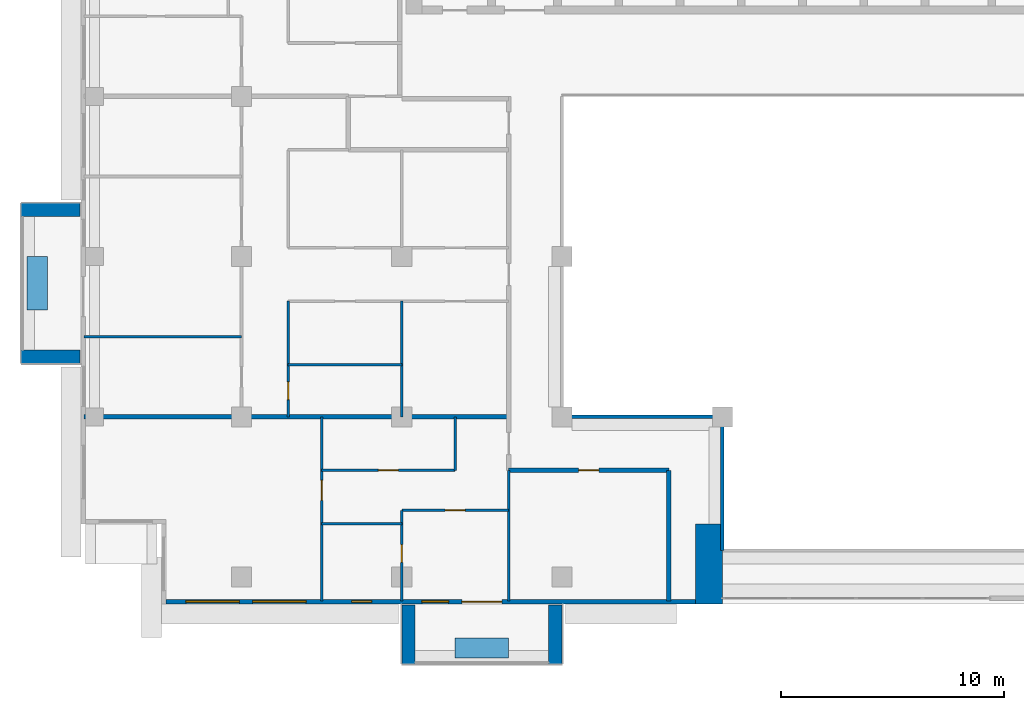
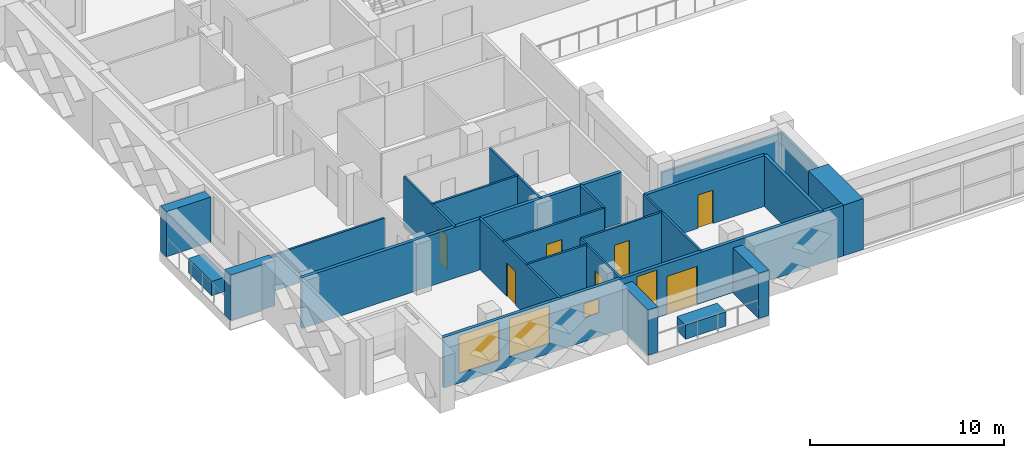
# One storey, part 6 of 20: 24 walls, 7 doors, 4 windows, 11 openings.
"""IFC4 building model written with IfcOpenShell, lengths in metres."""

from ifc_helpers import new_model, si_unit, direction, frame, frame_2d, origin, place, context, subcontext, project, spatial, rectangle, extrude, material, layer, layer_set, type_object, element, fill, save


model = new_model("IFC4")

# Units and contexts
model_context = context("Model", 3, precision=1e-05, world=origin(), true_north=direction((0.0, 1.0)))
body_context = subcontext(model_context, "Body", "Model", "MODEL_VIEW")
ifc_project = project(units=[si_unit("LENGTHUNIT", "METRE"), si_unit("AREAUNIT", "SQUARE_METRE"), si_unit("VOLUMEUNIT", "CUBIC_METRE"), si_unit("PLANEANGLEUNIT", "RADIAN"), si_unit("MASSUNIT", "GRAM", prefix="KILO")], contexts=[model_context])

# Site, building, storey
site_placement = place(None, origin())
site = spatial("IfcSite", under=ifc_project, at=site_placement, CompositionType="ELEMENT")
building_placement = place(site_placement, origin())
building = spatial("IfcBuilding", under=site, at=building_placement, Name="Saffron Iwan Residences", CompositionType="ELEMENT")
storey_placement = place(building_placement, frame((0.0, 0.0, 199.0)))
storey = spatial("IfcBuildingStorey", under=building, at=storey_placement, Name="L53", CompositionType="ELEMENT", Elevation=199.0)

# Walls
ifc_material_1 = material(Name="Fire-rated glazing", Category="glass")
ifc_layer_1 = layer(ifc_material_1, 0.14990234375)
ifc_layer_set_1 = layer_set([ifc_layer_1], Name="Fire-rated glazing")
wall_type_1 = type_object("IfcWallType", Name="Atrium glazed screen 150", PredefinedType="SOLIDWALL", material=ifc_layer_set_1)
wall_1_placement = place(storey_placement, frame((36.0, 48.0, 0.0), z_axis=(0.0, 0.0, 1.0), x_axis=(1.0, 0.0, 0.0)))
element("IfcWall", 1, at=wall_1_placement, inside=storey, type_object=wall_type_1, Name="W-L53-SCREEN-h48-36", PredefinedType="SOLIDWALL", context=body_context, shape_type="SweptSolid", body=[
    extrude(rectangle(XDim=7.199951171875, YDim=0.14990234375, at=frame_2d((3.60009765625, 0.0))), origin(), (0.0, 0.0, 1.0), 2.300048828125),
])
wall_2_placement = place(storey_placement, frame((43.199951171875, 42.0, 0.0), z_axis=(0.0, 0.0, 1.0), x_axis=(0.0, 1.0, 0.0)))
element("IfcWall", 2, at=wall_2_placement, inside=storey, type_object=wall_type_1, Name="W-L53-SCREEN-v43.2-42", PredefinedType="SOLIDWALL", context=body_context, shape_type="SweptSolid", body=[
    extrude(rectangle(XDim=6.0, YDim=0.14990234375, at=frame_2d((3.0, 0.0))), origin(), (0.0, 0.0, 1.0), 2.300048828125),
])
ifc_material_2 = material(Name="Concrete C50/60 white painted", Category="concrete")
ifc_layer_2 = layer(ifc_material_2, 0.60009765625)
ifc_layer_set_2 = layer_set([ifc_layer_2], Name="Concrete C50/60 white painted")
wall_type_2 = type_object("IfcWallType", Name="BALCONY FIN 600", PredefinedType="SOLIDWALL", material=ifc_layer_set_2)
for number, where, z_axis, x_axis, name in (
    (3, (14.35009765625, 57.300048828125, 0.0), (0.0, 0.0, 1.0), (-1.0, 0.0, 0.0), "Balcony fin L53 F8-1a"),
    (4, (14.35009765625, 50.699951171875, 0.0), (0.0, 0.0, 1.0), (-1.0, 0.0, 0.0), "Balcony fin L53 F8-1b"),
    (5, (29.10009765625, 39.550048828125, 0.0), (0.0, 0.0, 1.0), (0.0, -1.0, 0.0), "Balcony fin L53 11-0a"),
    (6, (35.699951171875, 39.550048828125, 0.0), (0.0, 0.0, 1.0), (0.0, -1.0, 0.0), "Balcony fin L53 11-0b"),
):
    element("IfcWall", number, at=place(storey_placement, frame(where, z_axis=z_axis, x_axis=x_axis)), inside=storey, type_object=wall_type_2, Name=name, PredefinedType="SOLIDWALL", context=body_context, shape_type="SweptSolid", body=[
        extrude(rectangle(XDim=2.650146484375, YDim=0.60009765625, at=frame_2d((1.3251953125, 0.0))), origin(), (0.0, 0.0, 1.0), 2.85009765625),
    ])
ifc_material_3 = material(Name="Concrete C35/45 white painted", Category="concrete")
ifc_layer_3 = layer(ifc_material_3, 0.14990234375)
ifc_layer_set_3 = layer_set([ifc_layer_3], Name="Concrete C35/45 white painted")
wall_type_3 = type_object("IfcWallType", Name="BALCONY PLANTER", PredefinedType="SOLIDWALL", material=ifc_layer_set_3)
wall_3_placement = place(storey_placement, frame((12.425048828125, 55.199951171875, 0.0), z_axis=(0.0, 0.0, 1.0), x_axis=(0.0, -1.0, 0.0)))
element("IfcWall", 7, at=wall_3_placement, inside=storey, type_object=wall_type_3, Name="PLANTER L53 F8-1", PredefinedType="SOLIDWALL", context=body_context, shape_type="SweptSolid", body=[
    extrude(rectangle(XDim=2.39990234375, YDim=0.89990234375, at=frame_2d((1.199951171875, 0.0))), origin(), (0.0, 0.0, 1.0), 0.89990234375),
])
wall_4_placement = place(storey_placement, frame((31.199951171875, 37.625, 0.0), z_axis=(0.0, 0.0, 1.0), x_axis=(1.0, 0.0, 0.0)))
element("IfcWall", 8, at=wall_4_placement, inside=storey, type_object=wall_type_3, Name="PLANTER L53 11-0", PredefinedType="SOLIDWALL", context=body_context, shape_type="SweptSolid", body=[
    extrude(rectangle(XDim=2.400146484375, YDim=0.89990234375, at=frame_2d((1.2001953125, 0.0))), origin(), (0.0, 0.0, 1.0), 0.89990234375),
])

# Wall, openings, door, windows
ifc_material_4 = material(Name="Concrete C40/50", Category="concrete")
ifc_layer_4 = layer(ifc_material_4, 0.199951171875)
ifc_layer_set_4 = layer_set([ifc_layer_4], Name="Concrete C40/50")
wall_type_4 = type_object("IfcWallType", Name="EXTERNAL WALL 200", PredefinedType="SOLIDWALL", material=ifc_layer_set_4)
wall_5_placement = place(storey_placement, frame((18.199951171875, 39.699951171875, 0.0), z_axis=(0.0, 0.0, 1.0), x_axis=(1.0, 0.0, 0.0)))
wall_5 = element("IfcWall", 9, at=wall_5_placement, inside=storey, type_object=wall_type_4, Name="External wall L53 F11.0", PredefinedType="SOLIDWALL", context=body_context, shape_type="SweptSolid", body=[
    extrude(rectangle(XDim=23.800048828125, YDim=0.199951171875, at=frame_2d((11.89990234375, 0.0))), origin(), (0.0, 0.0, 1.0), 3.199951171875),
])
opening_1_placement = place(wall_5_placement, frame((13.300048828125, 0.0, 0.0)))
opening_1 = element("IfcOpeningElement", 10, at=opening_1_placement, cuts=wall_5, Name="Opening BD1", PredefinedType="OPENING", context=body_context, shape_type="SweptSolid", body=[
    extrude(rectangle(XDim=1.800048828125, YDim=2.39990234375, at=frame_2d((0.89990234375, 1.199951171875))), frame((0.0, 0.10986328125, 0.0), z_axis=(0.0, -1.0, 0.0), x_axis=(1.0, 0.0, 0.0)), (0.0, 0.0, 1.0), 0.219970703125),
])
opening_2_placement = place(wall_5_placement, frame((0.89990234375, 0.0, 0.60009765625)))
opening_2 = element("IfcOpeningElement", 11, at=opening_2_placement, cuts=wall_5, Name="Opening W1", PredefinedType="OPENING", context=body_context, shape_type="SweptSolid", body=[
    extrude(rectangle(XDim=2.39990234375, YDim=2.39990234375, at=frame_2d((1.199951171875, 1.199951171875))), frame((0.0, 0.10986328125, 0.0), z_axis=(0.0, -1.0, 0.0), x_axis=(1.0, 0.0, 0.0)), (0.0, 0.0, 1.0), 0.219970703125),
])
opening_3_placement = place(wall_5_placement, frame((3.89990234375, 0.0, 0.60009765625)))
opening_3 = element("IfcOpeningElement", 12, at=opening_3_placement, cuts=wall_5, Name="Opening W1", PredefinedType="OPENING", context=body_context, shape_type="SweptSolid", body=[
    extrude(rectangle(XDim=2.39990234375, YDim=2.39990234375, at=frame_2d((1.199951171875, 1.199951171875))), frame((0.0, 0.10986328125, 0.0), z_axis=(0.0, -1.0, 0.0), x_axis=(1.0, 0.0, 0.0)), (0.0, 0.0, 1.0), 0.219970703125),
])
opening_4_placement = place(wall_5_placement, frame((11.5, 0.0, 0.60009765625)))
opening_4 = element("IfcOpeningElement", 13, at=opening_4_placement, cuts=wall_5, Name="Opening W3", PredefinedType="OPENING", context=body_context, shape_type="SweptSolid", body=[
    extrude(rectangle(XDim=1.199951171875, YDim=2.39990234375, at=frame_2d((0.60009765625, 1.199951171875))), frame((0.0, 0.10986328125, 0.0), z_axis=(0.0, -1.0, 0.0), x_axis=(1.0, 0.0, 0.0)), (0.0, 0.0, 1.0), 0.219970703125),
])
opening_5_placement = place(wall_5_placement, frame((8.35009765625, 0.0, 1.5)))
opening_5 = element("IfcOpeningElement", 14, at=opening_5_placement, cuts=wall_5, Name="Opening W6", PredefinedType="OPENING", context=body_context, shape_type="SweptSolid", body=[
    extrude(rectangle(XDim=0.89990234375, YDim=0.89990234375, at=frame_2d((0.449951171875, 0.449951171875))), frame((0.0, 0.10986328125, 0.0), z_axis=(0.0, -1.0, 0.0), x_axis=(1.0, 0.0, 0.0)), (0.0, 0.0, 1.0), 0.219970703125),
])
ifc_material_5 = material(Name="Clear glass, laminated double glazed", Category="glass")
door_type_1 = type_object("IfcDoorType", Name="BALCONY DOOR 1800 x 2400", OperationType="DOUBLE_DOOR_SLIDING", PredefinedType="DOOR", material=ifc_material_5)
door_1_placement = place(opening_1_placement, origin())
door_1 = element("IfcDoor", 15, at=door_1_placement, inside=storey, type_object=door_type_1, Name="Balcony door L53 F11.0", OperationType="DOUBLE_DOOR_SLIDING", OverallHeight=2.39990234375, OverallWidth=1.800048828125, PredefinedType="DOOR", context=body_context, shape_type="SweptSolid", body=[
    extrude(rectangle(XDim=1.800048828125, YDim=2.39990234375, at=frame_2d((0.89990234375, 1.199951171875))), frame((0.0, 0.02490234375, 0.0), z_axis=(0.0, -1.0, 0.0), x_axis=(1.0, 0.0, 0.0)), (0.0, 0.0, 1.0), 0.050048828125),
])
fill(opening_1, door_1)
window_type_1 = type_object("IfcWindowType", Name="WINDOW 1200 x 2400", PartitioningType="SINGLE_PANEL", PredefinedType="WINDOW", material=ifc_material_5)
window_1_placement = place(opening_4_placement, origin())
window_1 = element("IfcWindow", 16, at=window_1_placement, inside=storey, type_object=window_type_1, Name="Window L53 F11.3", OverallHeight=2.39990234375, OverallWidth=1.199951171875, PartitioningType="SINGLE_PANEL", PredefinedType="WINDOW", context=body_context, shape_type="SweptSolid", body=[
    extrude(rectangle(XDim=1.199951171875, YDim=2.39990234375, at=frame_2d((0.60009765625, 1.199951171875))), frame((0.0, 0.030029296875, 0.0), z_axis=(0.0, -1.0, 0.0), x_axis=(1.0, 0.0, 0.0)), (0.0, 0.0, 1.0), 0.06005859375),
])
fill(opening_4, window_1)
window_type_2 = type_object("IfcWindowType", Name="WINDOW 2400 x 2400", PartitioningType="DOUBLE_PANEL_VERTICAL", PredefinedType="WINDOW", material=ifc_material_5)
window_2_placement = place(opening_2_placement, origin())
window_2 = element("IfcWindow", 17, at=window_2_placement, inside=storey, type_object=window_type_2, Name="Window L53 F11.1", OverallHeight=2.39990234375, OverallWidth=2.39990234375, PartitioningType="DOUBLE_PANEL_VERTICAL", PredefinedType="WINDOW", context=body_context, shape_type="SweptSolid", body=[
    extrude(rectangle(XDim=2.39990234375, YDim=2.39990234375, at=frame_2d((1.199951171875, 1.199951171875))), frame((0.0, 0.030029296875, 0.0), z_axis=(0.0, -1.0, 0.0), x_axis=(1.0, 0.0, 0.0)), (0.0, 0.0, 1.0), 0.06005859375),
])
fill(opening_2, window_2)
window_3_placement = place(opening_3_placement, origin())
window_3 = element("IfcWindow", 18, at=window_3_placement, inside=storey, type_object=window_type_2, Name="Window L53 F11.2", OverallHeight=2.39990234375, OverallWidth=2.39990234375, PartitioningType="DOUBLE_PANEL_VERTICAL", PredefinedType="WINDOW", context=body_context, shape_type="SweptSolid", body=[
    extrude(rectangle(XDim=2.39990234375, YDim=2.39990234375, at=frame_2d((1.199951171875, 1.199951171875))), frame((0.0, 0.030029296875, 0.0), z_axis=(0.0, -1.0, 0.0), x_axis=(1.0, 0.0, 0.0)), (0.0, 0.0, 1.0), 0.06005859375),
])
fill(opening_3, window_3)
window_type_3 = type_object("IfcWindowType", Name="WINDOW 900 x 900 BATH", PartitioningType="SINGLE_PANEL", PredefinedType="WINDOW", material=ifc_material_5)
window_4_placement = place(opening_5_placement, origin())
window_4 = element("IfcWindow", 19, at=window_4_placement, inside=storey, type_object=window_type_3, Name="Window L53 F11.4", OverallHeight=0.89990234375, OverallWidth=0.89990234375, PartitioningType="SINGLE_PANEL", PredefinedType="WINDOW", context=body_context, shape_type="SweptSolid", body=[
    extrude(rectangle(XDim=0.89990234375, YDim=0.89990234375, at=frame_2d((0.449951171875, 0.449951171875))), frame((0.0, 0.030029296875, 0.0), z_axis=(0.0, -1.0, 0.0), x_axis=(1.0, 0.0, 0.0)), (0.0, 0.0, 1.0), 0.06005859375),
])
fill(opening_5, window_4)

# Walls
ifc_material_6 = material(Name="Fire-rated gypsum board wall")
ifc_layer_5 = layer(ifc_material_6, 0.199951171875)
ifc_layer_set_5 = layer_set([ifc_layer_5], Name="Fire-rated gypsum board wall")
wall_type_5 = type_object("IfcWallType", Name="Flat demising wall 200", PredefinedType="SOLIDWALL", material=ifc_layer_set_5)
wall_6_placement = place(storey_placement, frame((14.52490234375, 48.0, 0.0), z_axis=(0.0, 0.0, 1.0), x_axis=(1.0, 0.0, 0.0)))
element("IfcWall", 20, at=wall_6_placement, inside=storey, type_object=wall_type_5, Name="W-L53-DEMISE-h48-14.525", PredefinedType="SOLIDWALL", context=body_context, shape_type="SweptSolid", body=[
    extrude(rectangle(XDim=19.0751953125, YDim=0.199951171875, at=frame_2d((9.53759765625, 0.0))), origin(), (0.0, 0.0, 1.0), 3.199951171875),
])
ifc_material_7 = material(Name="Gypsum board partition")
ifc_layer_6 = layer(ifc_material_7, 0.1201171875)
ifc_layer_set_6 = layer_set([ifc_layer_6], Name="Gypsum board partition")
wall_type_6 = type_object("IfcWallType", Name="Flat partition 120", PredefinedType="PARTITIONING", material=ifc_layer_set_6)
wall_7_placement = place(storey_placement, frame((25.199951171875, 43.199951171875, 0.0), z_axis=(0.0, 0.0, 1.0), x_axis=(1.0, 0.0, 0.0)))
element("IfcWall", 21, at=wall_7_placement, inside=storey, type_object=wall_type_6, Name="W-L53-PART-h43.2-25.2", PredefinedType="PARTITIONING", context=body_context, shape_type="SweptSolid", body=[
    extrude(rectangle(XDim=3.60009765625, YDim=0.1201171875, at=frame_2d((1.800048828125, 0.0))), origin(), (0.0, 0.0, 1.0), 3.199951171875),
])

# Wall, opening, door
wall_8_placement = place(storey_placement, frame((28.800048828125, 43.800048828125, 0.0), z_axis=(0.0, 0.0, 1.0), x_axis=(1.0, 0.0, 0.0)))
wall_8 = element("IfcWall", 22, at=wall_8_placement, inside=storey, type_object=wall_type_6, Name="W-L53-PART-h43.8-28.8", PredefinedType="PARTITIONING", context=body_context, shape_type="SweptSolid", body=[
    extrude(rectangle(XDim=4.800048828125, YDim=0.1201171875, at=frame_2d((2.39990234375, 0.0))), origin(), (0.0, 0.0, 1.0), 3.199951171875),
])
opening_6_placement = place(wall_8_placement, frame((1.949951171875, 0.0, 0.0)))
opening_6 = element("IfcOpeningElement", 23, at=opening_6_placement, cuts=wall_8, Name="Opening FD2", PredefinedType="OPENING", context=body_context, shape_type="SweptSolid", body=[
    extrude(rectangle(XDim=0.89990234375, YDim=2.10009765625, at=frame_2d((0.449951171875, 1.050048828125))), frame((0.0, 0.070068359375, 0.0), z_axis=(0.0, -1.0, 0.0), x_axis=(1.0, 0.0, 0.0)), (0.0, 0.0, 1.0), 0.14013671875),
])
ifc_material_8 = material(Name="Timber door", Category="wood")
door_type_2 = type_object("IfcDoorType", Name="Flat door 900", OperationType="NOTDEFINED", PredefinedType="DOOR", material=ifc_material_8)
door_2_placement = place(opening_6_placement, origin())
door_2 = element("IfcDoor", 24, at=door_2_placement, inside=storey, type_object=door_type_2, Name="Door L53-003", OperationType="SINGLE_SWING_LEFT", OverallHeight=2.10009765625, OverallWidth=0.89990234375, PredefinedType="DOOR", context=body_context, shape_type="SweptSolid", body=[
    extrude(rectangle(XDim=0.89990234375, YDim=2.10009765625, at=frame_2d((0.449951171875, 1.050048828125))), frame((0.0, 0.02490234375, 0.0), z_axis=(0.0, -1.0, 0.0), x_axis=(1.0, 0.0, 0.0)), (0.0, 0.0, 1.0), 0.050048828125),
])
fill(opening_6, door_2)

wall_9_placement = place(storey_placement, frame((25.199951171875, 45.60009765625, 0.0), z_axis=(0.0, 0.0, 1.0), x_axis=(1.0, 0.0, 0.0)))
wall_9 = element("IfcWall", 25, at=wall_9_placement, inside=storey, type_object=wall_type_6, Name="W-L53-PART-h45.6-25.2", PredefinedType="PARTITIONING", context=body_context, shape_type="SweptSolid", body=[
    extrude(rectangle(XDim=6.0, YDim=0.1201171875, at=frame_2d((3.0, 0.0))), origin(), (0.0, 0.0, 1.0), 3.199951171875),
])
opening_7_placement = place(wall_9_placement, frame((2.550048828125, 0.0, 0.0)))
opening_7 = element("IfcOpeningElement", 26, at=opening_7_placement, cuts=wall_9, Name="Opening FD2", PredefinedType="OPENING", context=body_context, shape_type="SweptSolid", body=[
    extrude(rectangle(XDim=0.89990234375, YDim=2.10009765625, at=frame_2d((0.449951171875, 1.050048828125))), frame((0.0, 0.070068359375, 0.0), z_axis=(0.0, -1.0, 0.0), x_axis=(1.0, 0.0, 0.0)), (0.0, 0.0, 1.0), 0.14013671875),
])
door_3_placement = place(opening_7_placement, origin())
door_3 = element("IfcDoor", 27, at=door_3_placement, inside=storey, type_object=door_type_2, Name="Door L53-005", OperationType="SINGLE_SWING_RIGHT", OverallHeight=2.10009765625, OverallWidth=0.89990234375, PredefinedType="DOOR", context=body_context, shape_type="SweptSolid", body=[
    extrude(rectangle(XDim=0.89990234375, YDim=2.10009765625, at=frame_2d((0.449951171875, 1.050048828125))), frame((0.0, 0.02490234375, 0.0), z_axis=(0.0, -1.0, 0.0), x_axis=(1.0, 0.0, 0.0)), (0.0, 0.0, 1.0), 0.050048828125),
])
fill(opening_7, door_3)

# Walls
wall_10_placement = place(storey_placement, frame((23.699951171875, 50.35009765625, 0.0), z_axis=(0.0, 0.0, 1.0), x_axis=(1.0, 0.0, 0.0)))
element("IfcWall", 28, at=wall_10_placement, inside=storey, type_object=wall_type_6, Name="W-L53-PART-h50.35-23.7", PredefinedType="PARTITIONING", context=body_context, shape_type="SweptSolid", body=[
    extrude(rectangle(XDim=5.10009765625, YDim=0.1201171875, at=frame_2d((2.550048828125, 0.0))), origin(), (0.0, 0.0, 1.0), 3.199951171875),
])
wall_11_placement = place(storey_placement, frame((14.52490234375, 51.60009765625, 0.0), z_axis=(0.0, 0.0, 1.0), x_axis=(1.0, 0.0, 0.0)))
element("IfcWall", 29, at=wall_11_placement, inside=storey, type_object=wall_type_6, Name="W-L53-PART-h51.6-14.525", PredefinedType="PARTITIONING", context=body_context, shape_type="SweptSolid", body=[
    extrude(rectangle(XDim=7.0751953125, YDim=0.1201171875, at=frame_2d((3.53759765625, 0.0))), origin(), (0.0, 0.0, 1.0), 2.300048828125),
])

# Wall, opening, door
wall_12_placement = place(storey_placement, frame((23.699951171875, 48.0, 0.0), z_axis=(0.0, 0.0, 1.0), x_axis=(0.0, 1.0, 0.0)))
wall_12 = element("IfcWall", 30, at=wall_12_placement, inside=storey, type_object=wall_type_6, Name="W-L53-PART-v23.7-48", PredefinedType="PARTITIONING", context=body_context, shape_type="SweptSolid", body=[
    extrude(rectangle(XDim=5.199951171875, YDim=0.1201171875, at=frame_2d((2.60009765625, 0.0))), origin(), (0.0, 0.0, 1.0), 3.199951171875),
])
opening_8_placement = place(wall_12_placement, frame((0.77490234375, 0.0, 0.0)))
opening_8 = element("IfcOpeningElement", 31, at=opening_8_placement, cuts=wall_12, Name="Opening FD3", PredefinedType="OPENING", context=body_context, shape_type="SweptSolid", body=[
    extrude(rectangle(XDim=0.800048828125, YDim=2.10009765625, at=frame_2d((0.39990234375, 1.050048828125))), frame((0.0, 0.070068359375, 0.0), z_axis=(0.0, -1.0, 0.0), x_axis=(1.0, 0.0, 0.0)), (0.0, 0.0, 1.0), 0.14013671875),
])
door_type_3 = type_object("IfcDoorType", Name="Bathroom door 800", OperationType="NOTDEFINED", PredefinedType="DOOR", material=ifc_material_8)
door_4_placement = place(opening_8_placement, origin())
door_4 = element("IfcDoor", 32, at=door_4_placement, inside=storey, type_object=door_type_3, Name="Door L53-011", OperationType="SINGLE_SWING_RIGHT", OverallHeight=2.10009765625, OverallWidth=0.800048828125, PredefinedType="DOOR", context=body_context, shape_type="SweptSolid", body=[
    extrude(rectangle(XDim=0.800048828125, YDim=2.10009765625, at=frame_2d((0.39990234375, 1.050048828125))), frame((0.0, 0.02490234375, 0.0), z_axis=(0.0, -1.0, 0.0), x_axis=(1.0, 0.0, 0.0)), (0.0, 0.0, 1.0), 0.050048828125),
])
fill(opening_8, door_4)

wall_13_placement = place(storey_placement, frame((25.199951171875, 39.72509765625, 0.0), z_axis=(0.0, 0.0, 1.0), x_axis=(0.0, 1.0, 0.0)))
wall_13 = element("IfcWall", 33, at=wall_13_placement, inside=storey, type_object=wall_type_6, Name="W-L53-PART-v25.2-39.725", PredefinedType="PARTITIONING", context=body_context, shape_type="SweptSolid", body=[
    extrude(rectangle(XDim=8.27490234375, YDim=0.1201171875, at=frame_2d((4.137451171875, 0.0))), origin(), (0.0, 0.0, 1.0), 3.199951171875),
])
opening_9_placement = place(wall_13_placement, frame((4.52490234375, 0.0, 0.0)))
opening_9 = element("IfcOpeningElement", 34, at=opening_9_placement, cuts=wall_13, Name="Opening FD2", PredefinedType="OPENING", context=body_context, shape_type="SweptSolid", body=[
    extrude(rectangle(XDim=0.89990234375, YDim=2.10009765625, at=frame_2d((0.449951171875, 1.050048828125))), frame((0.0, 0.070068359375, 0.0), z_axis=(0.0, -1.0, 0.0), x_axis=(1.0, 0.0, 0.0)), (0.0, 0.0, 1.0), 0.14013671875),
])
door_5_placement = place(opening_9_placement, origin())
door_5 = element("IfcDoor", 35, at=door_5_placement, inside=storey, type_object=door_type_2, Name="Door L53-002", OperationType="SINGLE_SWING_RIGHT", OverallHeight=2.10009765625, OverallWidth=0.89990234375, PredefinedType="DOOR", context=body_context, shape_type="SweptSolid", body=[
    extrude(rectangle(XDim=0.89990234375, YDim=2.10009765625, at=frame_2d((0.449951171875, 1.050048828125))), frame((0.0, 0.02490234375, 0.0), z_axis=(0.0, -1.0, 0.0), x_axis=(1.0, 0.0, 0.0)), (0.0, 0.0, 1.0), 0.050048828125),
])
fill(opening_9, door_5)

wall_14_placement = place(storey_placement, frame((28.800048828125, 39.72509765625, 0.0), z_axis=(0.0, 0.0, 1.0), x_axis=(0.0, 1.0, 0.0)))
wall_14 = element("IfcWall", 36, at=wall_14_placement, inside=storey, type_object=wall_type_6, Name="W-L53-PART-v28.8-39.725", PredefinedType="PARTITIONING", context=body_context, shape_type="SweptSolid", body=[
    extrude(rectangle(XDim=4.074951171875, YDim=0.1201171875, at=frame_2d((2.03759765625, 0.0))), origin(), (0.0, 0.0, 1.0), 3.199951171875),
])
opening_10_placement = place(wall_14_placement, frame((1.737548828125, 0.0, 0.0)))
opening_10 = element("IfcOpeningElement", 37, at=opening_10_placement, cuts=wall_14, Name="Opening FD3", PredefinedType="OPENING", context=body_context, shape_type="SweptSolid", body=[
    extrude(rectangle(XDim=0.800048828125, YDim=2.10009765625, at=frame_2d((0.39990234375, 1.050048828125))), frame((0.0, 0.070068359375, 0.0), z_axis=(0.0, -1.0, 0.0), x_axis=(1.0, 0.0, 0.0)), (0.0, 0.0, 1.0), 0.14013671875),
])
door_6_placement = place(opening_10_placement, origin())
door_6 = element("IfcDoor", 38, at=door_6_placement, inside=storey, type_object=door_type_3, Name="Door L53-004", OperationType="SINGLE_SWING_RIGHT", OverallHeight=2.10009765625, OverallWidth=0.800048828125, PredefinedType="DOOR", context=body_context, shape_type="SweptSolid", body=[
    extrude(rectangle(XDim=0.800048828125, YDim=2.10009765625, at=frame_2d((0.39990234375, 1.050048828125))), frame((0.0, 0.02490234375, 0.0), z_axis=(0.0, -1.0, 0.0), x_axis=(1.0, 0.0, 0.0)), (0.0, 0.0, 1.0), 0.050048828125),
])
fill(opening_10, door_6)

# Walls
wall_15_placement = place(storey_placement, frame((28.800048828125, 48.0, 0.0), z_axis=(0.0, 0.0, 1.0), x_axis=(0.0, 1.0, 0.0)))
element("IfcWall", 39, at=wall_15_placement, inside=storey, type_object=wall_type_6, Name="W-L53-PART-v28.8-48", PredefinedType="PARTITIONING", context=body_context, shape_type="SweptSolid", body=[
    extrude(rectangle(XDim=5.199951171875, YDim=0.1201171875, at=frame_2d((2.60009765625, 0.0))), origin(), (0.0, 0.0, 1.0), 3.199951171875),
])
wall_16_placement = place(storey_placement, frame((31.199951171875, 45.60009765625, 0.0), z_axis=(0.0, 0.0, 1.0), x_axis=(0.0, 1.0, 0.0)))
element("IfcWall", 40, at=wall_16_placement, inside=storey, type_object=wall_type_6, Name="W-L53-PART-v31.2-45.6", PredefinedType="PARTITIONING", context=body_context, shape_type="SweptSolid", body=[
    extrude(rectangle(XDim=2.39990234375, YDim=0.1201171875, at=frame_2d((1.199951171875, 0.0))), origin(), (0.0, 0.0, 1.0), 3.199951171875),
])
wall_17_placement = place(storey_placement, frame((33.60009765625, 39.72509765625, 0.0), z_axis=(0.0, 0.0, 1.0), x_axis=(0.0, 1.0, 0.0)))
element("IfcWall", 41, at=wall_17_placement, inside=storey, type_object=wall_type_6, Name="W-L53-PART-v33.6-39.725", PredefinedType="PARTITIONING", context=body_context, shape_type="SweptSolid", body=[
    extrude(rectangle(XDim=5.875, YDim=0.1201171875, at=frame_2d((2.9375, 0.0))), origin(), (0.0, 0.0, 1.0), 3.199951171875),
])

# Wall, opening, door
ifc_layer_7 = layer(ifc_material_6, 0.199951171875)
ifc_layer_set_7 = layer_set([ifc_layer_7], Name="Fire-rated gypsum board wall")
wall_type_7 = type_object("IfcWallType", Name="Gallery wall 200", PredefinedType="SOLIDWALL", material=ifc_layer_set_7)
wall_18_placement = place(storey_placement, frame((33.60009765625, 45.60009765625, 0.0), z_axis=(0.0, 0.0, 1.0), x_axis=(1.0, 0.0, 0.0)))
wall_18 = element("IfcWall", 42, at=wall_18_placement, inside=storey, type_object=wall_type_7, Name="W-L53-CORR-h45.6-33.6", PredefinedType="SOLIDWALL", context=body_context, shape_type="SweptSolid", body=[
    extrude(rectangle(XDim=7.199951171875, YDim=0.199951171875, at=frame_2d((3.60009765625, 0.0))), origin(), (0.0, 0.0, 1.0), 3.199951171875),
])
opening_11_placement = place(wall_18_placement, frame((3.14990234375, 0.0, 0.0)))
opening_11 = element("IfcOpeningElement", 43, at=opening_11_placement, cuts=wall_18, Name="Opening FD2", PredefinedType="OPENING", context=body_context, shape_type="SweptSolid", body=[
    extrude(rectangle(XDim=0.89990234375, YDim=2.10009765625, at=frame_2d((0.449951171875, 1.050048828125))), frame((0.0, 0.10986328125, 0.0), z_axis=(0.0, -1.0, 0.0), x_axis=(1.0, 0.0, 0.0)), (0.0, 0.0, 1.0), 0.219970703125),
])
door_7_placement = place(opening_11_placement, origin())
door_7 = element("IfcDoor", 44, at=door_7_placement, inside=storey, type_object=door_type_2, Name="Door L53-006", OperationType="SINGLE_SWING_LEFT", OverallHeight=2.10009765625, OverallWidth=0.89990234375, PredefinedType="DOOR", context=body_context, shape_type="SweptSolid", body=[
    extrude(rectangle(XDim=0.89990234375, YDim=2.10009765625, at=frame_2d((0.449951171875, 1.050048828125))), frame((0.0, 0.02490234375, 0.0), z_axis=(0.0, -1.0, 0.0), x_axis=(1.0, 0.0, 0.0)), (0.0, 0.0, 1.0), 0.050048828125),
])
fill(opening_11, door_7)

# Walls
wall_19_placement = place(storey_placement, frame((40.800048828125, 39.72509765625, 0.0), z_axis=(0.0, 0.0, 1.0), x_axis=(0.0, 1.0, 0.0)))
element("IfcWall", 45, at=wall_19_placement, inside=storey, type_object=wall_type_7, Name="W-L53-CORR-v40.8-39.725", PredefinedType="SOLIDWALL", context=body_context, shape_type="SweptSolid", body=[
    extrude(rectangle(XDim=5.875, YDim=0.199951171875, at=frame_2d((2.9375, 0.0))), origin(), (0.0, 0.0, 1.0), 3.199951171875),
])
ifc_material_9 = material(Name="Concrete C50/60", Category="concrete")
ifc_layer_8 = layer(ifc_material_9, 1.199951171875)
ifc_layer_set_8 = layer_set([ifc_layer_8], Name="Concrete C50/60")
wall_type_8 = type_object("IfcWallType", Name="WALL IWAN PIER 1200 C50/60 3200 HIGH", PredefinedType="SHEAR", material=ifc_layer_set_8)
wall_20_placement = place(storey_placement, frame((42.60009765625, 39.60009765625, 0.0), z_axis=(0.0, 0.0, 1.0), x_axis=(0.0, 1.0, 0.0)))
element("IfcWall", 46, at=wall_20_placement, inside=storey, type_object=wall_type_8, Name="IWAN PIER", PredefinedType="SHEAR", context=body_context, shape_type="SweptSolid", body=[
    extrude(rectangle(XDim=3.599853515625, YDim=1.199951171875, at=frame_2d((1.7998046875, 0.0))), origin(), (0.0, 0.0, 1.0), 3.199951171875),
])

save(model, "model.ifc")
